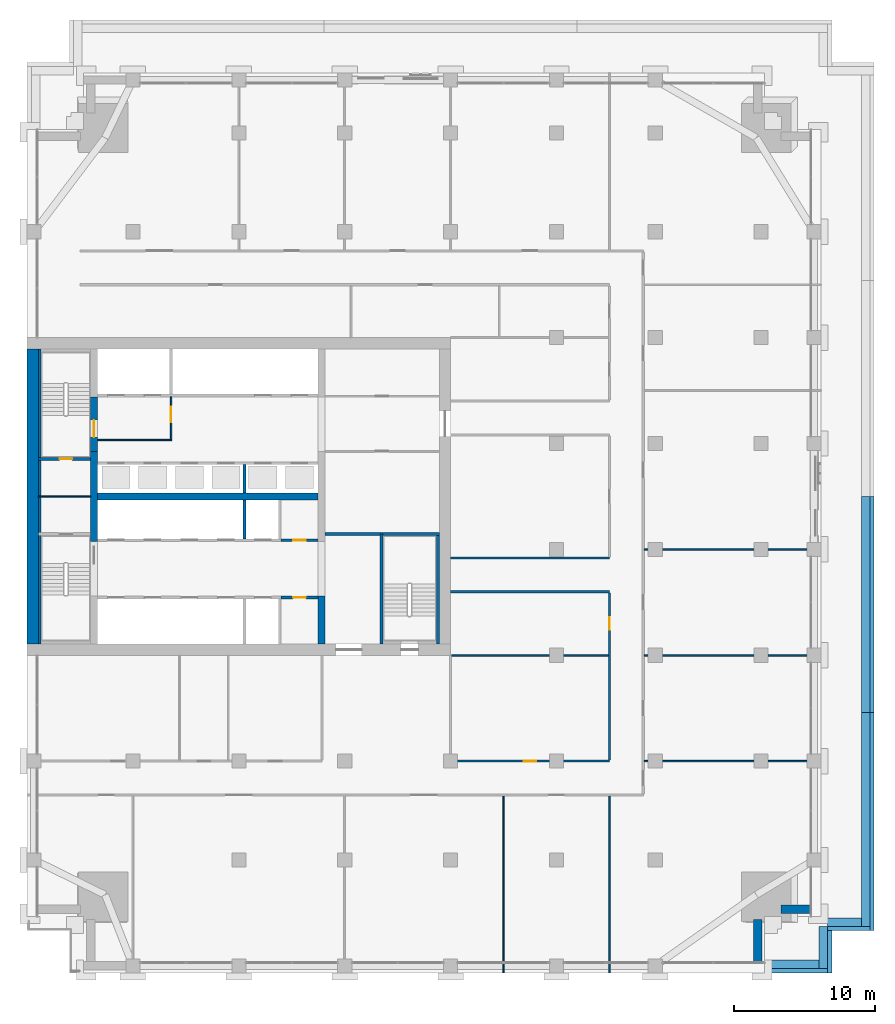
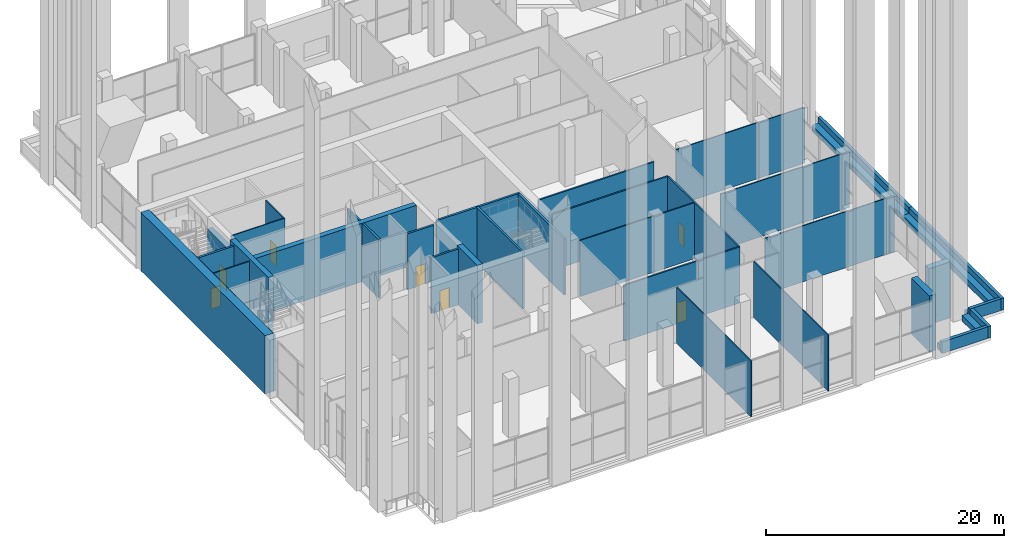
# One storey, part 13 of 23: 39 walls, 7 doors, 7 openings.
"""IFC4 building model written with IfcOpenShell, lengths in metres."""

from ifc_helpers import new_model, si_unit, direction, frame, frame_2d, origin, place, context, subcontext, project, spatial, rectangle, extrude, material, layer, layer_set, type_object, element, fill, save


model = new_model("IFC4")

# Units and contexts
model_context = context("Model", 3, precision=1e-05, world=origin(), true_north=direction((0.0, 1.0)))
body_context = subcontext(model_context, "Body", "Model", "MODEL_VIEW")
ifc_project = project(units=[si_unit("LENGTHUNIT", "METRE"), si_unit("AREAUNIT", "SQUARE_METRE"), si_unit("VOLUMEUNIT", "CUBIC_METRE"), si_unit("PLANEANGLEUNIT", "RADIAN"), si_unit("MASSUNIT", "GRAM", prefix="KILO")], contexts=[model_context])

# Site, building, storey
site_placement = place(None, origin())
site = spatial("IfcSite", under=ifc_project, at=site_placement, CompositionType="ELEMENT")
building_placement = place(site_placement, origin())
building = spatial("IfcBuilding", under=site, at=building_placement, Name="Tamorin Gate", CompositionType="ELEMENT")
storey_placement = place(building_placement, frame((0.0, 0.0, 124.199951171875)))
storey = spatial("IfcBuildingStorey", under=building, at=storey_placement, Name="L30", CompositionType="ELEMENT", Elevation=124.199951171875)

# Walls
ifc_material_1 = material(Name="Precast concrete C40/50", Category="concrete")
ifc_layer_1 = layer(ifc_material_1, 0.60009765625)
ifc_layer_set_1 = layer_set([ifc_layer_1], Name="Precast concrete C40/50")
wall_type_1 = type_object("IfcWallType", Name="Board-marked concrete facade panel 600", PredefinedType="SOLIDWALL", material=ifc_layer_set_1)
wall_1_placement = place(storey_placement, frame((81.75, 38.23388671875, 0.0), z_axis=(0.0, 0.0, 1.0), x_axis=(0.0, 1.0, 0.0)))
element("IfcWall", 1, at=wall_1_placement, inside=storey, type_object=wall_type_1, Name="Facade panel", PredefinedType="SOLIDWALL", context=body_context, shape_type="SweptSolid", body=[
    extrude(rectangle(XDim=3.04736328125, YDim=0.60009765625, at=frame_2d((1.523681640625, 0.0))), origin(), (0.0, 0.0, 1.0), 5.75),
])
wall_2_placement = place(storey_placement, frame((83.40625, 42.0, 0.0), z_axis=(0.0, 0.0, 1.0), x_axis=(1.0, 0.0, 0.0)))
element("IfcWall", 2, at=wall_2_placement, inside=storey, type_object=wall_type_1, Name="Facade panel", PredefinedType="SOLIDWALL", context=body_context, shape_type="SweptSolid", body=[
    extrude(rectangle(XDim=2.10986328125, YDim=0.60009765625, at=frame_2d((1.054931640625, 0.0))), origin(), (0.0, 0.0, 1.0), 5.75),
])

# Wall, opening, door
ifc_material_2 = material(Name="Gypsum board partition")
ifc_layer_2 = layer(ifc_material_2, 0.14990234375)
ifc_layer_set_2 = layer_set([ifc_layer_2], Name="Corridor wall 150")
wall_type_2 = type_object("IfcWallType", Name="Corridor wall 150", PredefinedType="PARTITIONING", material=ifc_layer_set_2)
wall_3_placement = place(storey_placement, frame((60.0, 52.5, 0.0), z_axis=(0.0, 0.0, 1.0), x_axis=(1.0, 0.0, 0.0)))
wall_3 = element("IfcWall", 3, at=wall_3_placement, inside=storey, type_object=wall_type_2, Name="Corridor wall 150", PredefinedType="PARTITIONING", context=body_context, shape_type="SweptSolid", body=[
    extrude(rectangle(XDim=11.25, YDim=0.14990234375, at=frame_2d((5.625, 0.0))), origin(), (0.0, 0.0, 1.0), 5.75),
])
opening_1_placement = place(wall_3_placement, frame((5.175048828125, 0.0, 0.0)))
opening_1 = element("IfcOpeningElement", 4, at=opening_1_placement, cuts=wall_3, Name="Opening DSL1018", PredefinedType="OPENING", context=body_context, shape_type="SweptSolid", body=[
    extrude(rectangle(XDim=0.89990234375, YDim=2.10009765625, at=frame_2d((0.449951171875, 1.050048828125))), frame((0.0, 0.0849609375, 0.0), z_axis=(0.0, -1.0, 0.0), x_axis=(1.0, 0.0, 0.0)), (0.0, 0.0, 1.0), 0.169921875),
])
ifc_material_3 = material(Name="Timber door leaf", Category="wood")
door_type_1 = type_object("IfcDoorType", Name="Door 900 x 2100 FD30S", OperationType="NOTDEFINED", PredefinedType="DOOR", material=ifc_material_3)
door_1_placement = place(opening_1_placement, origin())
door_1 = element("IfcDoor", 5, at=door_1_placement, inside=storey, type_object=door_type_1, Name="Door DSL1018", OperationType="SINGLE_SWING_LEFT", OverallHeight=2.10009765625, OverallWidth=0.89990234375, PredefinedType="DOOR", context=body_context, shape_type="SweptSolid", body=[
    extrude(rectangle(XDim=0.89990234375, YDim=2.10009765625, at=frame_2d((0.449951171875, 1.050048828125))), frame((0.0, 0.02490234375, 0.0), z_axis=(0.0, -1.0, 0.0), x_axis=(1.0, 0.0, 0.0)), (0.0, 0.0, 1.0), 0.050048828125),
])
fill(opening_1, door_1)

wall_4_placement = place(storey_placement, frame((71.25, 52.574951171875, 0.0), z_axis=(0.0, 0.0, 1.0), x_axis=(0.0, 1.0, 0.0)))
wall_4 = element("IfcWall", 6, at=wall_4_placement, inside=storey, type_object=wall_type_2, Name="Corridor wall 150", PredefinedType="PARTITIONING", context=body_context, shape_type="SweptSolid", body=[
    extrude(rectangle(XDim=11.85009765625, YDim=0.14990234375, at=frame_2d((5.925048828125, 0.0))), origin(), (0.0, 0.0, 1.0), 5.75),
])
opening_2_placement = place(wall_4_placement, frame((9.22509765625, 0.0, 0.0)))
opening_2 = element("IfcOpeningElement", 7, at=opening_2_placement, cuts=wall_4, Name="Opening DSL1022", PredefinedType="OPENING", context=body_context, shape_type="SweptSolid", body=[
    extrude(rectangle(XDim=0.89990234375, YDim=2.10009765625, at=frame_2d((0.449951171875, 1.050048828125))), frame((0.0, 0.0849609375, 0.0), z_axis=(0.0, -1.0, 0.0), x_axis=(1.0, 0.0, 0.0)), (0.0, 0.0, 1.0), 0.169921875),
])
door_2_placement = place(opening_2_placement, origin())
door_2 = element("IfcDoor", 8, at=door_2_placement, inside=storey, type_object=door_type_1, Name="Door DSL1022", OperationType="SINGLE_SWING_LEFT", OverallHeight=2.10009765625, OverallWidth=0.89990234375, PredefinedType="DOOR", context=body_context, shape_type="SweptSolid", body=[
    extrude(rectangle(XDim=0.89990234375, YDim=2.10009765625, at=frame_2d((0.449951171875, 1.050048828125))), frame((0.0, 0.02490234375, 0.0), z_axis=(0.0, -1.0, 0.0), x_axis=(1.0, 0.0, 0.0)), (0.0, 0.0, 1.0), 0.050048828125),
])
fill(opening_2, door_2)

# Walls
ifc_material_4 = material(Name="Concrete C32/40", Category="concrete")
ifc_layer_3 = layer(ifc_material_4, 0.199951171875)
ifc_layer_set_3 = layer_set([ifc_layer_3], Name="Lift shaft wall 200 EI 120")
wall_type_3 = type_object("IfcWallType", Name="Lift shaft wall 200 EI 120", PredefinedType="SOLIDWALL", material=ifc_layer_set_3)
wall_5_placement = place(storey_placement, frame((45.39990234375, 68.25, 0.0), z_axis=(0.0, 0.0, 1.0), x_axis=(0.0, 1.0, 0.0)))
element("IfcWall", 9, at=wall_5_placement, inside=storey, type_object=wall_type_3, Name="Lift shaft wall", PredefinedType="SOLIDWALL", context=body_context, shape_type="SweptSolid", body=[
    extrude(rectangle(XDim=2.75, YDim=0.199951171875, at=frame_2d((1.375, 0.0))), origin(), (0.0, 0.0, 1.0), 6.0),
])
wall_6_placement = place(storey_placement, frame((45.39990234375, 71.5, 0.0), z_axis=(0.0, 0.0, 1.0), x_axis=(0.0, 1.0, 0.0)))
element("IfcWall", 10, at=wall_6_placement, inside=storey, type_object=wall_type_3, Name="Lift shaft wall", PredefinedType="SOLIDWALL", context=body_context, shape_type="SweptSolid", body=[
    extrude(rectangle(XDim=2.0, YDim=0.199951171875, at=frame_2d((1.0, 0.0))), origin(), (0.0, 0.0, 1.0), 6.0),
])
ifc_material_5 = material(Name="Fire-rated gypsum board partition")
ifc_layer_4 = layer(ifc_material_5, 0.10009765625)
ifc_layer_set_4 = layer_set([ifc_layer_4], Name="Lobby wall 100 EI 60")
wall_type_4 = type_object("IfcWallType", Name="Lobby wall 100 EI 60", PredefinedType="PARTITIONING", material=ifc_layer_set_4)
wall_7_placement = place(storey_placement, frame((35.0, 75.25, 0.0), z_axis=(0.0, 0.0, 1.0), x_axis=(1.0, 0.0, 0.0)))
element("IfcWall", 11, at=wall_7_placement, inside=storey, type_object=wall_type_4, Name="Firefighting lobby wall", PredefinedType="PARTITIONING", context=body_context, shape_type="SweptSolid", body=[
    extrude(rectangle(XDim=5.25, YDim=0.10009765625, at=frame_2d((2.625, 0.0))), origin(), (0.0, 0.0, 1.0), 5.75),
])

# Wall, opening, door
wall_8_placement = place(storey_placement, frame((40.199951171875, 75.300048828125, 0.0), z_axis=(0.0, 0.0, 1.0), x_axis=(0.0, 1.0, 0.0)))
wall_8 = element("IfcWall", 12, at=wall_8_placement, inside=storey, type_object=wall_type_4, Name="Firefighting lobby wall", PredefinedType="PARTITIONING", context=body_context, shape_type="SweptSolid", body=[
    extrude(rectangle(XDim=3.0, YDim=0.10009765625, at=frame_2d((1.5, 0.0))), origin(), (0.0, 0.0, 1.0), 5.75),
])
opening_3_placement = place(wall_8_placement, frame((1.199951171875, 0.0, 0.0)))
opening_3 = element("IfcOpeningElement", 13, at=opening_3_placement, cuts=wall_8, Name="Opening DF1", PredefinedType="OPENING", context=body_context, shape_type="SweptSolid", body=[
    extrude(rectangle(XDim=1.10009765625, YDim=2.10009765625, at=frame_2d((0.550048828125, 1.050048828125))), frame((0.0, 0.06005859375, 0.0), z_axis=(0.0, -1.0, 0.0), x_axis=(1.0, 0.0, 0.0)), (0.0, 0.0, 1.0), 0.1201171875),
])
ifc_material_6 = material(Name="Steel fire door", Category="steel")
door_type_2 = type_object("IfcDoorType", Name="Firefighting lobby door 1100 x 2100 EI 90", OperationType="SINGLE_SWING_LEFT", PredefinedType="DOOR", material=ifc_material_6)
door_3_placement = place(opening_3_placement, origin())
door_3 = element("IfcDoor", 14, at=door_3_placement, inside=storey, type_object=door_type_2, Name="Firefighting lobby door", OperationType="SINGLE_SWING_LEFT", OverallHeight=2.10009765625, OverallWidth=1.10009765625, PredefinedType="DOOR", context=body_context, shape_type="SweptSolid", body=[
    extrude(rectangle(XDim=1.10009765625, YDim=2.10009765625, at=frame_2d((0.550048828125, 1.050048828125))), frame((0.0, 0.02490234375, 0.0), z_axis=(0.0, -1.0, 0.0), x_axis=(1.0, 0.0, 0.0)), (0.0, 0.0, 1.0), 0.050048828125),
])
fill(opening_3, door_3)

# Walls
ifc_layer_5 = layer(ifc_material_2, 0.14990234375)
ifc_layer_set_5 = layer_set([ifc_layer_5], Name="Lobby wall 150")
wall_type_5 = type_object("IfcWallType", Name="Lobby wall 150", PredefinedType="PARTITIONING", material=ifc_layer_set_5)
for number, where, z_axis, x_axis, name in (
    (15, (60.0, 64.5, 0.0), (0.0, 0.0, 1.0), (1.0, 0.0, 0.0), "Lobby wall 150"),
    (16, (60.0, 66.89990234375, 0.0), (0.0, 0.0, 1.0), (1.0, 0.0, 0.0), "Lobby wall 150"),
):
    element("IfcWall", number, at=place(storey_placement, frame(where, z_axis=z_axis, x_axis=x_axis)), inside=storey, type_object=wall_type_5, Name=name, PredefinedType="PARTITIONING", context=body_context, shape_type="SweptSolid", body=[
        extrude(rectangle(XDim=11.25, YDim=0.14990234375, at=frame_2d((5.625, 0.0))), origin(), (0.0, 0.0, 1.0), 5.75),
    ])
ifc_material_7 = material(Name="Concrete C60/75", Category="concrete")
ifc_layer_6 = layer(ifc_material_7, 0.5)
ifc_layer_set_6 = layer_set([ifc_layer_6], Name="RC core internal wall 500 C60/75")
wall_type_6 = type_object("IfcWallType", Name="RC core internal wall 500 C60/75", PredefinedType="SHEAR", material=ifc_layer_set_6)
wall_9_placement = place(storey_placement, frame((35.0, 71.25, 0.0), z_axis=(0.0, 0.0, 1.0), x_axis=(1.0, 0.0, 0.0)))
element("IfcWall", 17, at=wall_9_placement, inside=storey, type_object=wall_type_6, Name="Core spine wall L30", PredefinedType="SHEAR", context=body_context, shape_type="SweptSolid", body=[
    extrude(rectangle(XDim=15.60009765625, YDim=0.5, at=frame_2d((7.800048828125, 0.0))), origin(), (0.0, 0.0, 1.0), 6.0),
])
wall_10_placement = place(storey_placement, frame((34.75, 68.050048828125, 0.0), z_axis=(0.0, 0.0, 1.0), x_axis=(0.0, 1.0, 0.0)))
element("IfcWall", 18, at=wall_10_placement, inside=storey, type_object=wall_type_6, Name="Core cross wall L30", PredefinedType="SHEAR", context=body_context, shape_type="SweptSolid", body=[
    extrude(rectangle(XDim=6.39990234375, YDim=0.5, at=frame_2d((3.199951171875, 0.0))), origin(), (0.0, 0.0, 1.0), 6.0),
])
wall_11_placement = place(storey_placement, frame((50.85009765625, 60.800048828125, 0.0), z_axis=(0.0, 0.0, 1.0), x_axis=(0.0, 1.0, 0.0)))
element("IfcWall", 19, at=wall_11_placement, inside=storey, type_object=wall_type_6, Name="Core cross wall L30", PredefinedType="SHEAR", context=body_context, shape_type="SweptSolid", body=[
    extrude(rectangle(XDim=3.39990234375, YDim=0.5, at=frame_2d((1.699951171875, 0.0))), origin(), (0.0, 0.0, 1.0), 6.0),
])
ifc_layer_7 = layer(ifc_material_7, 0.800048828125)
ifc_layer_set_7 = layer_set([ifc_layer_7], Name="RC core wall 800 C60/75")
wall_type_7 = type_object("IfcWallType", Name="RC core wall 800 C60/75", PredefinedType="SHEAR", material=ifc_layer_set_7)
wall_12_placement = place(storey_placement, frame((30.39990234375, 60.800048828125, 0.0), z_axis=(0.0, 0.0, 1.0), x_axis=(0.0, 1.0, 0.0)))
element("IfcWall", 20, at=wall_12_placement, inside=storey, type_object=wall_type_7, Name="Core wall L30", PredefinedType="SHEAR", context=body_context, shape_type="SweptSolid", body=[
    extrude(rectangle(XDim=20.89990234375, YDim=0.800048828125, at=frame_2d((10.449951171875, 0.0))), origin(), (0.0, 0.0, 1.0), 6.0),
])
ifc_layer_8 = layer(ifc_material_5, 0.10009765625)
ifc_layer_set_8 = layer_set([ifc_layer_8], Name="Riser partition 100 EI 120")
wall_type_8 = type_object("IfcWallType", Name="Riser partition 100 EI 120", PredefinedType="PARTITIONING", material=ifc_layer_set_8)
wall_13_placement = place(storey_placement, frame((30.800048828125, 71.25, 0.0), z_axis=(0.0, 0.0, 1.0), x_axis=(1.0, 0.0, 0.0)))
element("IfcWall", 21, at=wall_13_placement, inside=storey, type_object=wall_type_8, Name="Riser partition", PredefinedType="PARTITIONING", context=body_context, shape_type="SweptSolid", body=[
    extrude(rectangle(XDim=3.699951171875, YDim=0.10009765625, at=frame_2d((1.85009765625, 0.0))), origin(), (0.0, 0.0, 1.0), 5.75),
])
ifc_layer_9 = layer(ifc_material_2, 0.10009765625)
ifc_layer_set_9 = layer_set([ifc_layer_9], Name="Room partition 100")
wall_type_9 = type_object("IfcWallType", Name="Room partition 100", PredefinedType="PARTITIONING", material=ifc_layer_set_9)
wall_14_placement = place(storey_placement, frame((73.72509765625, 52.5, 0.0), z_axis=(0.0, 0.0, 1.0), x_axis=(1.0, 0.0, 0.0)))
element("IfcWall", 22, at=wall_14_placement, inside=storey, type_object=wall_type_9, Name="Room partition 100", PredefinedType="PARTITIONING", context=body_context, shape_type="SweptSolid", body=[
    extrude(rectangle(XDim=12.52490234375, YDim=0.10009765625, at=frame_2d((6.262451171875, 0.0))), origin(), (0.0, 0.0, 1.0), 5.75),
])
wall_15_placement = place(storey_placement, frame((60.074951171875, 60.0, 0.0), z_axis=(0.0, 0.0, 1.0), x_axis=(1.0, 0.0, 0.0)))
element("IfcWall", 23, at=wall_15_placement, inside=storey, type_object=wall_type_9, Name="Room partition 100", PredefinedType="PARTITIONING", context=body_context, shape_type="SweptSolid", body=[
    extrude(rectangle(XDim=11.10009765625, YDim=0.10009765625, at=frame_2d((5.550048828125, 0.0))), origin(), (0.0, 0.0, 1.0), 5.75),
])
for number, where, z_axis, x_axis, name in (
    (24, (73.72509765625, 60.0, 0.0), (0.0, 0.0, 1.0), (1.0, 0.0, 0.0), "Room partition 100"),
    (25, (73.72509765625, 67.5, 0.0), (0.0, 0.0, 1.0), (1.0, 0.0, 0.0), "Room partition 100"),
    (26, (63.75, 37.5, 0.0), (0.0, 0.0, 1.0), (0.0, 1.0, 0.0), "Room partition 100"),
    (27, (71.25, 37.5, 0.0), (0.0, 0.0, 1.0), (0.0, 1.0, 0.0), "Room partition 100"),
):
    element("IfcWall", number, at=place(storey_placement, frame(where, z_axis=z_axis, x_axis=x_axis)), inside=storey, type_object=wall_type_9, Name=name, PredefinedType="PARTITIONING", context=body_context, shape_type="SweptSolid", body=[
        extrude(rectangle(XDim=12.52490234375, YDim=0.10009765625, at=frame_2d((6.262451171875, 0.0))), origin(), (0.0, 0.0, 1.0), 5.75),
    ])

# Wall, opening, door
ifc_layer_10 = layer(ifc_material_2, 0.199951171875)
ifc_layer_set_10 = layer_set([ifc_layer_10], Name="Service room face wall 200 EI 60")
wall_type_10 = type_object("IfcWallType", Name="Service room face wall 200 EI 60", PredefinedType="PARTITIONING", material=ifc_layer_set_10)
wall_16_placement = place(storey_placement, frame((48.0, 64.10009765625, 0.0), z_axis=(0.0, 0.0, 1.0), x_axis=(1.0, 0.0, 0.0)))
wall_16 = element("IfcWall", 28, at=wall_16_placement, inside=storey, type_object=wall_type_10, Name="Service room face wall", PredefinedType="PARTITIONING", context=body_context, shape_type="SweptSolid", body=[
    extrude(rectangle(XDim=2.60009765625, YDim=0.199951171875, at=frame_2d((1.300048828125, 0.0))), origin(), (0.0, 0.0, 1.0), 5.75),
])
opening_4_placement = place(wall_16_placement, frame((0.85009765625, 0.0, 0.0)))
opening_4 = element("IfcOpeningElement", 29, at=opening_4_placement, cuts=wall_16, Name="Opening DK1", PredefinedType="OPENING", context=body_context, shape_type="SweptSolid", body=[
    extrude(rectangle(XDim=0.89990234375, YDim=2.10009765625, at=frame_2d((0.449951171875, 1.050048828125))), frame((0.0, 0.10986328125, 0.0), z_axis=(0.0, -1.0, 0.0), x_axis=(1.0, 0.0, 0.0)), (0.0, 0.0, 1.0), 0.219970703125),
])
ifc_material_8 = material(Name="Timber fire door", Category="wood")
door_type_3 = type_object("IfcDoorType", Name="Service room door 900 x 2100 EI 60", OperationType="SINGLE_SWING_LEFT", PredefinedType="DOOR", material=ifc_material_8)
door_4_placement = place(opening_4_placement, origin())
door_4 = element("IfcDoor", 30, at=door_4_placement, inside=storey, type_object=door_type_3, Name="Door Linen store", OperationType="SINGLE_SWING_RIGHT", OverallHeight=2.10009765625, OverallWidth=0.89990234375, PredefinedType="DOOR", context=body_context, shape_type="SweptSolid", body=[
    extrude(rectangle(XDim=0.89990234375, YDim=2.10009765625, at=frame_2d((0.449951171875, 1.050048828125))), frame((0.0, 0.02490234375, 0.0), z_axis=(0.0, -1.0, 0.0), x_axis=(1.0, 0.0, 0.0)), (0.0, 0.0, 1.0), 0.050048828125),
])
fill(opening_4, door_4)

wall_17_placement = place(storey_placement, frame((48.0, 68.14990234375, 0.0), z_axis=(0.0, 0.0, 1.0), x_axis=(1.0, 0.0, 0.0)))
wall_17 = element("IfcWall", 31, at=wall_17_placement, inside=storey, type_object=wall_type_10, Name="Service room face wall", PredefinedType="PARTITIONING", context=body_context, shape_type="SweptSolid", body=[
    extrude(rectangle(XDim=2.60009765625, YDim=0.199951171875, at=frame_2d((1.300048828125, 0.0))), origin(), (0.0, 0.0, 1.0), 5.75),
])
opening_5_placement = place(wall_17_placement, frame((0.85009765625, 0.0, 0.0)))
opening_5 = element("IfcOpeningElement", 32, at=opening_5_placement, cuts=wall_17, Name="Opening DK1", PredefinedType="OPENING", context=body_context, shape_type="SweptSolid", body=[
    extrude(rectangle(XDim=0.89990234375, YDim=2.10009765625, at=frame_2d((0.449951171875, 1.050048828125))), frame((0.0, 0.10986328125, 0.0), z_axis=(0.0, -1.0, 0.0), x_axis=(1.0, 0.0, 0.0)), (0.0, 0.0, 1.0), 0.219970703125),
])
door_5_placement = place(opening_5_placement, origin())
door_5 = element("IfcDoor", 33, at=door_5_placement, inside=storey, type_object=door_type_3, Name="Door Vending and ice room", OperationType="SINGLE_SWING_RIGHT", OverallHeight=2.10009765625, OverallWidth=0.89990234375, PredefinedType="DOOR", context=body_context, shape_type="SweptSolid", body=[
    extrude(rectangle(XDim=0.89990234375, YDim=2.10009765625, at=frame_2d((0.449951171875, 1.050048828125))), frame((0.0, 0.02490234375, 0.0), z_axis=(0.0, -1.0, 0.0), x_axis=(1.0, 0.0, 0.0)), (0.0, 0.0, 1.0), 0.050048828125),
])
fill(opening_5, door_5)

ifc_material_9 = material(Name="Concrete C40/50", Category="concrete")
ifc_layer_11 = layer(ifc_material_9, 0.199951171875)
ifc_layer_set_11 = layer_set([ifc_layer_11], Name="Stair enclosure wall 200 EI 120 C40/50")
wall_type_11 = type_object("IfcWallType", Name="Stair enclosure wall 200 EI 120 C40/50", PredefinedType="SOLIDWALL", material=ifc_layer_set_11)
wall_18_placement = place(storey_placement, frame((30.800048828125, 73.89990234375, 0.0), z_axis=(0.0, 0.0, 1.0), x_axis=(1.0, 0.0, 0.0)))
wall_18 = element("IfcWall", 34, at=wall_18_placement, inside=storey, type_object=wall_type_11, Name="Stair enclosure wall", PredefinedType="SOLIDWALL", context=body_context, shape_type="SweptSolid", body=[
    extrude(rectangle(XDim=3.699951171875, YDim=0.199951171875, at=frame_2d((1.85009765625, 0.0))), origin(), (0.0, 0.0, 1.0), 5.75),
])
opening_6_placement = place(wall_18_placement, frame((1.5, 0.0, 0.0)))
opening_6 = element("IfcOpeningElement", 35, at=opening_6_placement, cuts=wall_18, Name="Opening DR1", PredefinedType="OPENING", context=body_context, shape_type="SweptSolid", body=[
    extrude(rectangle(XDim=0.89990234375, YDim=2.10009765625, at=frame_2d((0.449951171875, 1.050048828125))), frame((0.0, 0.10986328125, 0.0), z_axis=(0.0, -1.0, 0.0), x_axis=(1.0, 0.0, 0.0)), (0.0, 0.0, 1.0), 0.219970703125),
])
door_type_4 = type_object("IfcDoorType", Name="Riser access door 900 x 2100 EI 120", OperationType="SINGLE_SWING_LEFT", PredefinedType="DOOR", material=ifc_material_6)
door_6_placement = place(opening_6_placement, origin())
door_6 = element("IfcDoor", 36, at=door_6_placement, inside=storey, type_object=door_type_4, Name="Communications riser door", OperationType="SINGLE_SWING_RIGHT", OverallHeight=2.10009765625, OverallWidth=0.89990234375, PredefinedType="DOOR", context=body_context, shape_type="SweptSolid", body=[
    extrude(rectangle(XDim=0.89990234375, YDim=2.10009765625, at=frame_2d((0.449951171875, 1.050048828125))), frame((0.0, 0.02490234375, 0.0), z_axis=(0.0, -1.0, 0.0), x_axis=(1.0, 0.0, 0.0)), (0.0, 0.0, 1.0), 0.050048828125),
])
fill(opening_6, door_6)

# Walls
wall_19_placement = place(storey_placement, frame((55.10009765625, 60.800048828125, 0.0), z_axis=(0.0, 0.0, 1.0), x_axis=(0.0, 1.0, 0.0)))
element("IfcWall", 37, at=wall_19_placement, inside=storey, type_object=wall_type_11, Name="Stair enclosure wall", PredefinedType="SOLIDWALL", context=body_context, shape_type="SweptSolid", body=[
    extrude(rectangle(XDim=7.800048828125, YDim=0.199951171875, at=frame_2d((3.89990234375, 0.0))), origin(), (0.0, 0.0, 1.0), 5.75),
])
wall_20_placement = place(storey_placement, frame((51.10009765625, 68.60009765625, 0.0), z_axis=(0.0, 0.0, 1.0), x_axis=(1.0, 0.0, 0.0)))
element("IfcWall", 38, at=wall_20_placement, inside=storey, type_object=wall_type_11, Name="Stair enclosure wall", PredefinedType="SOLIDWALL", context=body_context, shape_type="SweptSolid", body=[
    extrude(rectangle(XDim=8.099853515625, YDim=0.199951171875, at=frame_2d((4.0498046875, 0.0))), origin(), (0.0, 0.0, 1.0), 5.75),
])
ifc_layer_12 = layer(ifc_material_7, 0.199951171875)
ifc_layer_set_12 = layer_set([ifc_layer_12], Name="Stair lining wall 200 EI 120 C60/75")
wall_type_12 = type_object("IfcWallType", Name="Stair lining wall 200 EI 120 C60/75", PredefinedType="SOLIDWALL", material=ifc_layer_set_12)
wall_21_placement = place(storey_placement, frame((30.89990234375, 60.800048828125, 0.0), z_axis=(0.0, 0.0, 1.0), x_axis=(0.0, 1.0, 0.0)))
element("IfcWall", 39, at=wall_21_placement, inside=storey, type_object=wall_type_12, Name="Stair lining wall", PredefinedType="SOLIDWALL", context=body_context, shape_type="SweptSolid", body=[
    extrude(rectangle(XDim=20.89990234375, YDim=0.199951171875, at=frame_2d((10.449951171875, 0.0))), origin(), (0.0, 0.0, 1.0), 5.75),
])
wall_22_placement = place(storey_placement, frame((59.10009765625, 60.800048828125, 0.0), z_axis=(0.0, 0.0, 1.0), x_axis=(0.0, 1.0, 0.0)))
element("IfcWall", 40, at=wall_22_placement, inside=storey, type_object=wall_type_12, Name="Stair lining wall", PredefinedType="SOLIDWALL", context=body_context, shape_type="SweptSolid", body=[
    extrude(rectangle(XDim=7.699951171875, YDim=0.199951171875, at=frame_2d((3.85009765625, 0.0))), origin(), (0.0, 0.0, 1.0), 5.75),
])

# Wall, opening, door
ifc_layer_13 = layer(ifc_material_4, 0.5)
ifc_layer_set_13 = layer_set([ifc_layer_13], Name="Stair lobby infill wall 500 EI 120")
wall_type_13 = type_object("IfcWallType", Name="Stair lobby infill wall 500 EI 120", PredefinedType="SOLIDWALL", material=ifc_layer_set_13)
wall_23_placement = place(storey_placement, frame((34.75, 74.449951171875, 0.0), z_axis=(0.0, 0.0, 1.0), x_axis=(0.0, 1.0, 0.0)))
wall_23 = element("IfcWall", 41, at=wall_23_placement, inside=storey, type_object=wall_type_13, Name="Stair lobby infill wall", PredefinedType="SOLIDWALL", context=body_context, shape_type="SweptSolid", body=[
    extrude(rectangle(XDim=3.85009765625, YDim=0.5, at=frame_2d((1.925048828125, 0.0))), origin(), (0.0, 0.0, 1.0), 4.800048828125),
])
opening_7_placement = place(wall_23_placement, frame((1.0, 0.0, 0.0)))
opening_7 = element("IfcOpeningElement", 42, at=opening_7_placement, cuts=wall_23, Name="Opening DS1", PredefinedType="OPENING", context=body_context, shape_type="SweptSolid", body=[
    extrude(rectangle(XDim=1.199951171875, YDim=2.10009765625, at=frame_2d((0.60009765625, 1.050048828125))), frame((0.0, 0.260009765625, 0.0), z_axis=(0.0, -1.0, 0.0), x_axis=(1.0, 0.0, 0.0)), (0.0, 0.0, 1.0), 0.52001953125),
])
door_type_5 = type_object("IfcDoorType", Name="Stair door 1200 x 2100 EI 90", OperationType="SINGLE_SWING_LEFT", PredefinedType="DOOR", material=ifc_material_6)
door_7_placement = place(opening_7_placement, origin())
door_7 = element("IfcDoor", 43, at=door_7_placement, inside=storey, type_object=door_type_5, Name="ST2 door", OperationType="SINGLE_SWING_RIGHT", OverallHeight=2.10009765625, OverallWidth=1.199951171875, PredefinedType="DOOR", context=body_context, shape_type="SweptSolid", body=[
    extrude(rectangle(XDim=1.199951171875, YDim=2.10009765625, at=frame_2d((0.60009765625, 1.050048828125))), frame((0.0, 0.02490234375, 0.0), z_axis=(0.0, -1.0, 0.0), x_axis=(1.0, 0.0, 0.0)), (0.0, 0.0, 1.0), 0.050048828125),
])
fill(opening_7, door_7)

# Walls
ifc_layer_14 = layer(ifc_material_1, 0.300048828125)
ifc_layer_set_14 = layer_set([ifc_layer_14], Name="Terrace parapet 300")
wall_type_14 = type_object("IfcWallType", Name="Terrace parapet 300", PredefinedType="PARAPET", material=ifc_layer_set_14)
wall_24_placement = place(storey_placement, frame((89.85009765625, 55.949951171875, 0.0), z_axis=(0.0, 0.0, 1.0), x_axis=(0.0, 1.0, 0.0)))
element("IfcWall", 44, at=wall_24_placement, inside=storey, type_object=wall_type_14, Name="Terrace parapet", PredefinedType="PARAPET", context=body_context, shape_type="SweptSolid", body=[
    extrude(rectangle(XDim=15.300048828125, YDim=0.300048828125, at=frame_2d((7.64990234375, 0.0))), origin(), (0.0, 0.0, 1.0), 1.199951171875),
])
wall_25_placement = place(storey_placement, frame((89.85009765625, 40.5, 0.0), z_axis=(0.0, 0.0, 1.0), x_axis=(0.0, 1.0, 0.0)))
element("IfcWall", 45, at=wall_25_placement, inside=storey, type_object=wall_type_14, Name="Terrace parapet", PredefinedType="PARAPET", context=body_context, shape_type="SweptSolid", body=[
    extrude(rectangle(XDim=15.449951171875, YDim=0.300048828125, at=frame_2d((7.72509765625, 0.0))), origin(), (0.0, 0.0, 1.0), 1.199951171875),
])
for number, where, z_axis, x_axis, name in (
    (46, (86.699951171875, 40.64990234375, 0.0), (0.0, 0.0, 1.0), (1.0, 0.0, 0.0), "Terrace parapet"),
    (47, (86.85009765625, 37.5, 0.0), (0.0, 0.0, 1.0), (0.0, 1.0, 0.0), "Terrace parapet"),
):
    element("IfcWall", number, at=place(storey_placement, frame(where, z_axis=z_axis, x_axis=x_axis)), inside=storey, type_object=wall_type_14, Name=name, PredefinedType="PARAPET", context=body_context, shape_type="SweptSolid", body=[
        extrude(rectangle(XDim=3.0, YDim=0.300048828125, at=frame_2d((1.5, 0.0))), origin(), (0.0, 0.0, 1.0), 1.199951171875),
    ])
wall_26_placement = place(storey_placement, frame((82.25, 37.64990234375, 0.0), z_axis=(0.0, 0.0, 1.0), x_axis=(1.0, 0.0, 0.0)))
element("IfcWall", 48, at=wall_26_placement, inside=storey, type_object=wall_type_14, Name="Terrace parapet", PredefinedType="PARAPET", context=body_context, shape_type="SweptSolid", body=[
    extrude(rectangle(XDim=4.449951171875, YDim=0.300048828125, at=frame_2d((2.22509765625, 0.0))), origin(), (0.0, 0.0, 1.0), 1.199951171875),
])
ifc_layer_15 = layer(ifc_material_1, 0.60009765625)
ifc_layer_set_15 = layer_set([ifc_layer_15], Name="Terrace planter wall 600")
wall_type_15 = type_object("IfcWallType", Name="Terrace planter wall 600", PredefinedType="STANDARD", material=ifc_layer_set_15)
wall_27_placement = place(storey_placement, frame((89.39990234375, 55.949951171875, 0.0), z_axis=(0.0, 0.0, 1.0), x_axis=(0.0, 1.0, 0.0)))
element("IfcWall", 49, at=wall_27_placement, inside=storey, type_object=wall_type_15, Name="PLANTER wall", PredefinedType="STANDARD", context=body_context, shape_type="SweptSolid", body=[
    extrude(rectangle(XDim=15.300048828125, YDim=0.60009765625, at=frame_2d((7.64990234375, 0.0))), origin(), (0.0, 0.0, 1.0), 0.60009765625),
])
wall_28_placement = place(storey_placement, frame((89.39990234375, 40.5, 0.0), z_axis=(0.0, 0.0, 1.0), x_axis=(0.0, 1.0, 0.0)))
element("IfcWall", 50, at=wall_28_placement, inside=storey, type_object=wall_type_15, Name="PLANTER wall", PredefinedType="STANDARD", context=body_context, shape_type="SweptSolid", body=[
    extrude(rectangle(XDim=15.449951171875, YDim=0.60009765625, at=frame_2d((7.72509765625, 0.0))), origin(), (0.0, 0.0, 1.0), 0.60009765625),
])
wall_29_placement = place(storey_placement, frame((86.699951171875, 41.10009765625, 0.0), z_axis=(0.0, 0.0, 1.0), x_axis=(1.0, 0.0, 0.0)))
element("IfcWall", 51, at=wall_29_placement, inside=storey, type_object=wall_type_15, Name="PLANTER wall", PredefinedType="STANDARD", context=body_context, shape_type="SweptSolid", body=[
    extrude(rectangle(XDim=2.400146484375, YDim=0.60009765625, at=frame_2d((1.2001953125, 0.0))), origin(), (0.0, 0.0, 1.0), 0.60009765625),
])
wall_30_placement = place(storey_placement, frame((86.39990234375, 40.800048828125, 0.0), z_axis=(0.0, 0.0, 1.0), x_axis=(0.0, -1.0, 0.0)))
element("IfcWall", 52, at=wall_30_placement, inside=storey, type_object=wall_type_15, Name="PLANTER wall", PredefinedType="STANDARD", context=body_context, shape_type="SweptSolid", body=[
    extrude(rectangle(XDim=3.300048828125, YDim=0.60009765625, at=frame_2d((1.64990234375, 0.0))), origin(), (0.0, 0.0, 1.0), 0.60009765625),
])
wall_31_placement = place(storey_placement, frame((82.300048828125, 38.10009765625, 0.0), z_axis=(0.0, 0.0, 1.0), x_axis=(1.0, 0.0, 0.0)))
element("IfcWall", 53, at=wall_31_placement, inside=storey, type_object=wall_type_15, Name="PLANTER wall", PredefinedType="STANDARD", context=body_context, shape_type="SweptSolid", body=[
    extrude(rectangle(XDim=3.800048828125, YDim=0.60009765625, at=frame_2d((1.89990234375, 0.0))), origin(), (0.0, 0.0, 1.0), 0.60009765625),
])

save(model, "model.ifc")
